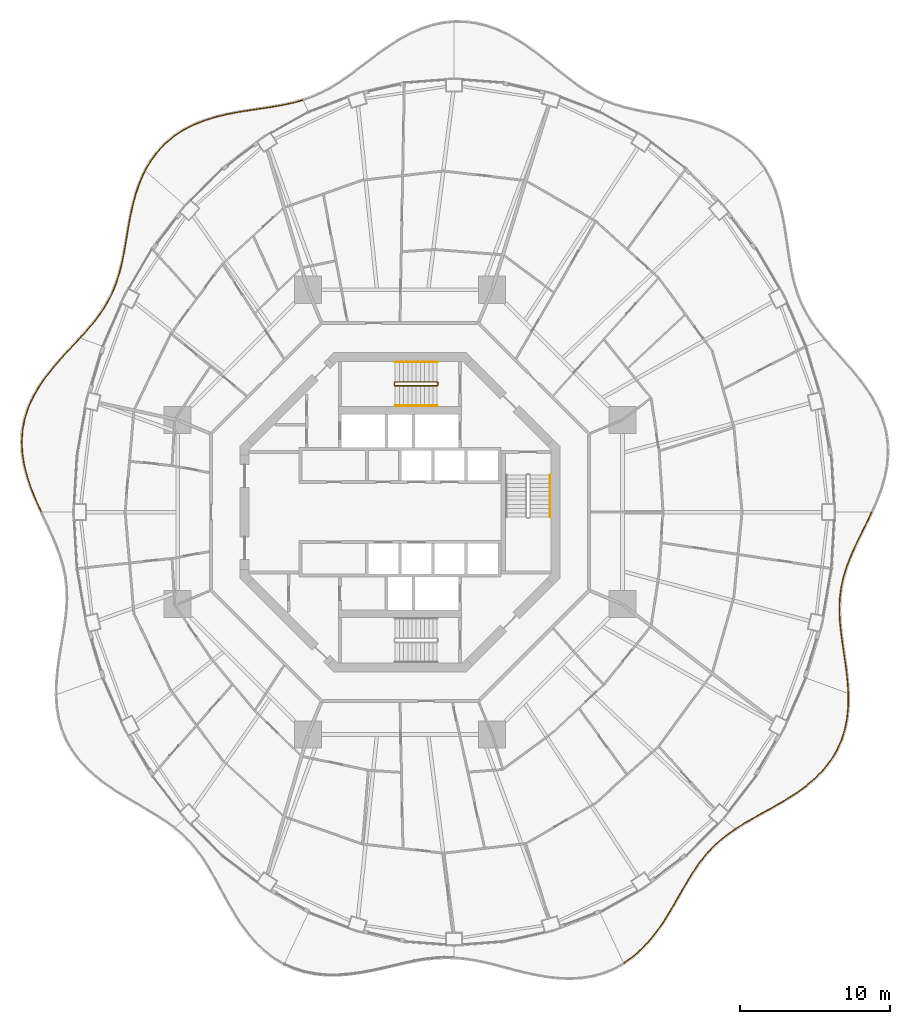
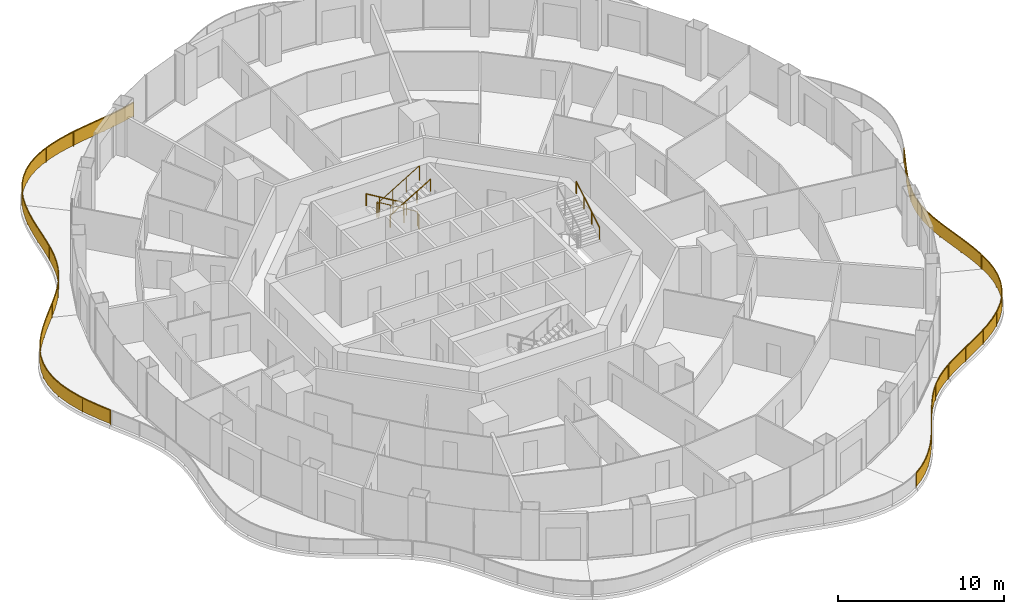
# One storey, part 18 of 19: 10 railings.
"""IFC4 building model written with IfcOpenShell, lengths in metres."""

from ifc_helpers import new_model, si_unit, direction, frame, origin, origin_2d, place, context, subcontext, project, spatial, polyline, rectangle, circle, outline, extrude, material, type_object, element, save


model = new_model("IFC4")

# Units and contexts
model_context = context("Model", 3, precision=1e-05, world=origin(), true_north=direction((0.0, 1.0)))
body_context = subcontext(model_context, "Body", "Model", "MODEL_VIEW")
ifc_project = project(units=[si_unit("LENGTHUNIT", "METRE"), si_unit("AREAUNIT", "SQUARE_METRE"), si_unit("VOLUMEUNIT", "CUBIC_METRE"), si_unit("PLANEANGLEUNIT", "RADIAN"), si_unit("MASSUNIT", "GRAM", prefix="KILO")], contexts=[model_context])

# Site, building, storey
site_placement = place(None, origin())
site = spatial("IfcSite", under=ifc_project, at=site_placement, CompositionType="ELEMENT")
building_placement = place(site_placement, origin())
building = spatial("IfcBuilding", under=site, at=building_placement, Name="Nagisa Residences", CompositionType="ELEMENT")
storey_placement = place(building_placement, frame((0.0, 0.0, 188.10009765625)))
storey = spatial("IfcBuildingStorey", under=building, at=storey_placement, Name="L47", CompositionType="ELEMENT", Elevation=188.10009765625)

# Railings
ifc_material_1 = material(Name="Stainless steel 316", Category="steel")
railing_type_1 = type_object("IfcRailingType", Name="BALCONY GUARD 1100", PredefinedType="BALUSTRADE", material=ifc_material_1)
railing_1_placement = place(storey_placement, frame((-6.482421875, 27.385498046875, 0.0)))
element("IfcRailing", 1, at=railing_1_placement, inside=storey, type_object=railing_type_1, Name="guard:L47:bal05-0", PredefinedType="BALUSTRADE", context=body_context, shape_type="SweptSolid", body=[
    extrude(outline(polyline([(-0.6162109375, -0.19677734375), (0.006591796875, -0.024169921875), (-0.006591796875, 0.024169921875), (-0.62841796875, -0.14794921875), (-1.3173828125, -0.29833984375), (-2.03271484375, -0.424560546875), (-2.771240234375, -0.537841796875), (-3.5283203125, -0.650634765625), (-4.283203125, -0.76708984375), (-5.054443359375, -0.91796875), (-5.818603515625, -1.10595703125), (-6.564697265625, -1.34130859375), (-7.2822265625, -1.63232421875), (-7.948486328125, -1.97412109375), (-8.578369140625, -2.39111328125), (-9.15234375, -2.872802734375), (-9.6640625, -3.41748046875), (-10.111083984375, -4.01953125), (-10.4677734375, -4.63232421875), (-10.42431640625, -4.65771484375), (-10.069091796875, -4.04736328125), (-9.62548828125, -3.44970703125), (-9.11767578125, -2.909423828125), (-8.548583984375, -2.43115234375), (-7.923095703125, -2.017578125), (-7.26123046875, -1.677734375), (-6.547607421875, -1.388671875), (-5.804931640625, -1.154296875), (-5.043701171875, -0.966796875), (-4.2744140625, -0.81640625), (-3.52099609375, -0.699951171875), (-2.763916015625, -0.587158203125), (-2.0244140625, -0.473876953125), (-1.3076171875, -0.34765625), (-0.6162109375, -0.19677734375)])), frame((0.0, 0.0, 1.050048828125)), (0.0, 0.0, 1.0), 0.050048828125),
    extrude(outline(polyline([(-0.62060546875, -0.17919921875), (0.001953125, -0.0068359375), (-0.001953125, 0.0068359375), (-0.6240234375, -0.16552734375), (-1.31396484375, -0.316162109375), (-2.02978515625, -0.4423828125), (-2.7685546875, -0.5556640625), (-3.525634765625, -0.66845703125), (-4.280029296875, -0.784912109375), (-5.050537109375, -0.935546875), (-5.813720703125, -1.123291015625), (-6.55859375, -1.3583984375), (-7.274658203125, -1.648681640625), (-7.939453125, -1.98974609375), (-8.567626953125, -2.405517578125), (-9.139892578125, -2.885986328125), (-9.650146484375, -3.42919921875), (-10.095947265625, -4.029541015625), (-10.4521484375, -4.6416015625), (-10.43994140625, -4.6484375), (-10.084228515625, -4.037353515625), (-9.639404296875, -3.43798828125), (-9.130126953125, -2.896240234375), (-8.559326171875, -2.416748046875), (-7.93212890625, -2.001953125), (-7.268798828125, -1.661376953125), (-6.5537109375, -1.37158203125), (-5.809814453125, -1.136962890625), (-5.047607421875, -0.94921875), (-4.277587890625, -0.798583984375), (-3.523681640625, -0.68212890625), (-2.7666015625, -0.5693359375), (-2.02734375, -0.4560546875), (-1.31103515625, -0.329833984375), (-0.62060546875, -0.17919921875)])), frame((0.0, 0.0, 0.06005859375)), (0.0, 0.0, 1.0), 0.989990234375),
    extrude(rectangle(XDim=0.0400390625, YDim=0.0400390625, at=origin_2d()), origin(), (0.0, 0.0, 1.0), 1.050048828125),
    extrude(rectangle(XDim=0.0400390625, YDim=0.0400390625, at=origin_2d()), frame((-2.330322265625, -0.495361328125, 0.0)), (0.0, 0.0, 1.0), 1.050048828125),
    extrude(rectangle(XDim=0.0400390625, YDim=0.0400390625, at=origin_2d()), frame((-4.684814453125, -0.87109375, 0.0)), (0.0, 0.0, 1.0), 1.050048828125),
    extrude(rectangle(XDim=0.0400390625, YDim=0.0400390625, at=origin_2d()), frame((-6.970947265625, -1.532958984375, 0.0)), (0.0, 0.0, 1.0), 1.050048828125),
    extrude(rectangle(XDim=0.0400390625, YDim=0.0400390625, at=origin_2d()), frame((-8.992919921875, -2.771728515625, 0.0)), (0.0, 0.0, 1.0), 1.050048828125),
    extrude(rectangle(XDim=0.0400390625, YDim=0.0400390625, at=origin_2d()), frame((-10.446044921875, -4.64501953125, 0.0)), (0.0, 0.0, 1.0), 1.050048828125),
])
railing_2_placement = place(storey_placement, frame((-16.96337890625, 22.67138671875, 0.0)))
element("IfcRailing", 2, at=railing_2_placement, inside=storey, type_object=railing_type_1, Name="guard:L47:bal06-0", PredefinedType="BALUSTRADE", context=body_context, shape_type="SweptSolid", body=[
    extrude(outline(polyline([(-0.288330078125, -0.696044921875), (0.022705078125, -0.01025390625), (-0.022705078125, 0.01025390625), (-0.334716796875, -0.677490234375), (-0.60498046875, -1.44287109375), (-0.821533203125, -2.231201171875), (-0.995849609375, -3.03076171875), (-1.141845703125, -3.829345703125), (-1.26611328125, -4.604248046875), (-1.400390625, -5.372314453125), (-1.55078125, -6.1142578125), (-1.730712890625, -6.826171875), (-1.950927734375, -7.50634765625), (-2.21337890625, -8.142822265625), (-2.5361328125, -8.764404296875), (-2.91357421875, -9.363525390625), (-3.34375, -9.946044921875), (-3.81982421875, -10.51904296875), (-4.30419921875, -11.056396484375), (-4.26708984375, -11.090087890625), (-3.78173828125, -10.5517578125), (-3.30419921875, -9.976806640625), (-2.8720703125, -9.391845703125), (-2.49267578125, -8.789306640625), (-2.16796875, -8.163818359375), (-1.904052734375, -7.5234375), (-1.682373046875, -6.83984375), (-1.501953125, -6.12548828125), (-1.35107421875, -5.381591796875), (-1.216796875, -4.612548828125), (-1.092529296875, -3.837646484375), (-0.946533203125, -3.04052734375), (-0.772705078125, -2.243408203125), (-0.55712890625, -1.4580078125), (-0.288330078125, -0.696044921875)])), frame((0.0, 0.0, 1.050048828125)), (0.0, 0.0, 1.0), 0.050048828125),
    extrude(outline(polyline([(-0.304931640625, -0.689453125), (0.00634765625, -0.0029296875), (-0.00634765625, 0.0029296875), (-0.318115234375, -0.68408203125), (-0.587646484375, -1.4482421875), (-0.803955078125, -2.235595703125), (-0.97802734375, -3.0341796875), (-1.1240234375, -3.832275390625), (-1.248291015625, -4.607177734375), (-1.382568359375, -5.375732421875), (-1.533203125, -6.118408203125), (-1.71337890625, -6.8310546875), (-1.93408203125, -7.512451171875), (-2.197021484375, -8.150390625), (-2.5205078125, -8.7734375), (-2.898681640625, -9.373779296875), (-3.32958984375, -9.95703125), (-3.80615234375, -10.53076171875), (-4.290771484375, -11.068603515625), (-4.280517578125, -11.077880859375), (-3.79541015625, -10.5400390625), (-3.318359375, -9.9658203125), (-2.886962890625, -9.381591796875), (-2.50830078125, -8.7802734375), (-2.184326171875, -8.15625), (-1.9208984375, -7.517333984375), (-1.69970703125, -6.8349609375), (-1.51953125, -6.121337890625), (-1.368896484375, -5.378173828125), (-1.234619140625, -4.609619140625), (-1.1103515625, -3.834716796875), (-0.96435546875, -3.037109375), (-0.790283203125, -2.239013671875), (-0.574462890625, -1.45263671875), (-0.304931640625, -0.689453125)])), frame((0.0, 0.0, 0.06005859375)), (0.0, 0.0, 1.0), 0.989990234375),
    extrude(rectangle(XDim=0.0400390625, YDim=0.0400390625, at=origin_2d()), origin(), (0.0, 0.0, 1.0), 1.050048828125),
    extrude(rectangle(XDim=0.0400390625, YDim=0.0400390625, at=origin_2d()), frame((-0.7001953125, -1.88427734375, 0.0)), (0.0, 0.0, 1.0), 1.050048828125),
    extrude(rectangle(XDim=0.0400390625, YDim=0.0400390625, at=origin_2d()), frame((-1.120361328125, -3.852783203125, 0.0)), (0.0, 0.0, 1.0), 1.050048828125),
    extrude(rectangle(XDim=0.0400390625, YDim=0.0400390625, at=origin_2d()), frame((-1.46875, -5.8359375, 0.0)), (0.0, 0.0, 1.0), 1.050048828125),
    extrude(rectangle(XDim=0.0400390625, YDim=0.0400390625, at=origin_2d()), frame((-2.031005859375, -7.76611328125, 0.0)), (0.0, 0.0, 1.0), 1.050048828125),
    extrude(rectangle(XDim=0.0400390625, YDim=0.0400390625, at=origin_2d()), frame((-3.0009765625, -9.524169921875, 0.0)), (0.0, 0.0, 1.0), 1.050048828125),
    extrude(rectangle(XDim=0.0400390625, YDim=0.0400390625, at=origin_2d()), frame((-4.28564453125, -11.0732421875, 0.0)), (0.0, 0.0, 1.0), 1.050048828125),
])
railing_3_placement = place(storey_placement, frame((-21.301025390625, 11.544189453125, 0.0)))
element("IfcRailing", 3, at=railing_3_placement, inside=storey, type_object=railing_type_1, Name="guard:L47:bal07-0", PredefinedType="BALUSTRADE", context=body_context, shape_type="SweptSolid", body=[
    extrude(outline(polyline([(-0.50732421875, -0.578857421875), (0.018310546875, -0.01708984375), (-0.018310546875, 0.01708984375), (-0.5439453125, -0.544677734375), (-1.1064453125, -1.15283203125), (-1.65966796875, -1.78076171875), (-2.18505859375, -2.432373046875), (-2.66357421875, -3.11083984375), (-3.07568359375, -3.803466796875), (-3.413330078125, -4.53662109375), (-3.662109375, -5.293701171875), (-3.815673828125, -6.06982421875), (-3.871337890625, -6.8603515625), (-3.829833984375, -7.644775390625), (-3.701416015625, -8.444580078125), (-3.495361328125, -9.240234375), (-3.2265625, -10.02734375), (-2.91162109375, -10.8017578125), (-2.58642578125, -11.52001953125), (-2.541015625, -11.49951171875), (-2.86572265625, -10.7822265625), (-3.1796875, -10.009765625), (-3.447509765625, -9.22607421875), (-3.652587890625, -8.434326171875), (-3.780029296875, -7.639404296875), (-3.821044921875, -6.86083984375), (-3.765869140625, -6.07666015625), (-3.61376953125, -5.306396484375), (-3.366455078125, -4.55517578125), (-3.03125, -3.826904296875), (-2.62158203125, -3.13818359375), (-2.14501953125, -2.462646484375), (-1.62158203125, -1.81298828125), (-1.0693359375, -1.1865234375), (-0.50732421875, -0.578857421875)])), frame((0.0, 0.0, 1.050048828125)), (0.0, 0.0, 1.0), 0.050048828125),
    extrude(outline(polyline([(-0.5205078125, -0.566650390625), (0.005126953125, -0.0048828125), (-0.005126953125, 0.0048828125), (-0.53076171875, -0.556884765625), (-1.093017578125, -1.1650390625), (-1.64599609375, -1.79248046875), (-2.170654296875, -2.443359375), (-2.6484375, -3.12060546875), (-3.0595703125, -3.81201171875), (-3.396484375, -4.543212890625), (-3.644775390625, -5.29833984375), (-3.797607421875, -6.072265625), (-3.853271484375, -6.860595703125), (-3.81201171875, -7.642822265625), (-3.683837890625, -8.44091796875), (-3.47802734375, -9.235107421875), (-3.209716796875, -10.02099609375), (-2.89501953125, -10.794677734375), (-2.570068359375, -11.5126953125), (-2.557373046875, -11.5068359375), (-2.88232421875, -10.789306640625), (-3.196533203125, -10.01611328125), (-3.46484375, -9.231201171875), (-3.670166015625, -8.43798828125), (-3.7978515625, -7.641357421875), (-3.839111328125, -6.860595703125), (-3.783935546875, -6.07421875), (-3.631103515625, -5.3017578125), (-3.38330078125, -4.548583984375), (-3.04736328125, -3.818359375), (-2.63671875, -3.12841796875), (-2.159423828125, -2.45166015625), (-1.63525390625, -1.80126953125), (-1.082763671875, -1.17431640625), (-0.5205078125, -0.566650390625)])), frame((0.0, 0.0, 0.06005859375)), (0.0, 0.0, 1.0), 0.989990234375),
    extrude(rectangle(XDim=0.0400390625, YDim=0.0400390625, at=origin_2d()), origin(), (0.0, 0.0, 1.0), 1.050048828125),
    extrude(rectangle(XDim=0.0400390625, YDim=0.0400390625, at=origin_2d()), frame((-1.45751953125, -1.58935546875, 0.0)), (0.0, 0.0, 1.0), 1.050048828125),
    extrude(rectangle(XDim=0.0400390625, YDim=0.0400390625, at=origin_2d()), frame((-2.7529296875, -3.309814453125, 0.0)), (0.0, 0.0, 1.0), 1.050048828125),
    extrude(rectangle(XDim=0.0400390625, YDim=0.0400390625, at=origin_2d()), frame((-3.628662109375, -5.27197265625, 0.0)), (0.0, 0.0, 1.0), 1.050048828125),
    extrude(rectangle(XDim=0.0400390625, YDim=0.0400390625, at=origin_2d()), frame((-3.817138671875, -7.409423828125, 0.0)), (0.0, 0.0, 1.0), 1.050048828125),
    extrude(rectangle(XDim=0.0400390625, YDim=0.0400390625, at=origin_2d()), frame((-3.375732421875, -9.513427734375, 0.0)), (0.0, 0.0, 1.0), 1.050048828125),
    extrude(rectangle(XDim=0.0400390625, YDim=0.0400390625, at=origin_2d()), frame((-2.563720703125, -11.509765625, 0.0)), (0.0, 0.0, 1.0), 1.050048828125),
])
railing_4_placement = place(storey_placement, frame((14.90576171875, -29.9716796875, 0.0)))
element("IfcRailing", 4, at=railing_4_placement, inside=storey, type_object=railing_type_1, Name="guard:L47:bal13-0", PredefinedType="BALUSTRADE", context=body_context, shape_type="SweptSolid", body=[
    extrude(outline(polyline([(0.566650390625, 0.435546875), (-0.0146484375, 0.020263671875), (0.0146484375, -0.020263671875), (0.597900390625, 0.396484375), (1.17626953125, 0.908935546875), (1.709228515625, 1.479248046875), (2.19873046875, 2.094970703125), (2.649169921875, 2.742431640625), (3.053466796875, 3.39892578125), (3.447265625, 4.06884765625), (3.82568359375, 4.730224609375), (4.19921875, 5.372314453125), (4.578125, 5.986328125), (4.960205078125, 6.554931640625), (5.378173828125, 7.094970703125), (5.827392578125, 7.595458984375), (6.312744140625, 8.057373046875), (6.83740234375, 8.484619140625), (7.366943359375, 8.8583984375), (7.338134765625, 8.8994140625), (6.80712890625, 8.524658203125), (6.279541015625, 8.094970703125), (5.791259765625, 7.630126953125), (5.339599609375, 7.127197265625), (4.919677734375, 6.584228515625), (4.5361328125, 6.013671875), (4.15625, 5.398193359375), (3.7822265625, 4.755126953125), (3.40380859375, 4.09375), (3.010498046875, 3.4248046875), (2.607177734375, 2.769775390625), (2.15869140625, 2.124755859375), (1.671142578125, 1.511962890625), (1.14111328125, 0.945068359375), (0.566650390625, 0.435546875)])), frame((0.0, 0.0, 1.050048828125)), (0.0, 0.0, 1.0), 0.050048828125),
    extrude(outline(polyline([(0.577880859375, 0.42138671875), (-0.004150390625, 0.005615234375), (0.004150390625, -0.005615234375), (0.586669921875, 0.41064453125), (1.16357421875, 0.921875), (1.695556640625, 1.490966796875), (2.184326171875, 2.105712890625), (2.634033203125, 2.752197265625), (3.0380859375, 3.408203125), (3.431640625, 4.077880859375), (3.81005859375, 4.7392578125), (4.183837890625, 5.381591796875), (4.56298828125, 5.99609375), (4.945556640625, 6.5654296875), (5.3642578125, 7.106689453125), (5.814453125, 7.60791015625), (6.30078125, 8.07080078125), (6.826416015625, 8.4990234375), (7.356689453125, 8.873291015625), (7.348388671875, 8.884521484375), (6.818115234375, 8.51025390625), (6.29150390625, 8.08154296875), (5.80419921875, 7.61767578125), (5.353515625, 7.115478515625), (4.934326171875, 6.57373046875), (4.55126953125, 6.00390625), (4.171630859375, 5.388916015625), (3.7978515625, 4.74609375), (3.41943359375, 4.084716796875), (3.02587890625, 3.41552734375), (2.622314453125, 2.760009765625), (2.173095703125, 2.114013671875), (1.684814453125, 1.500244140625), (1.15380859375, 0.93212890625), (0.577880859375, 0.42138671875)])), frame((0.0, 0.0, 0.06005859375)), (0.0, 0.0, 1.0), 0.989990234375),
    extrude(rectangle(XDim=0.0400390625, YDim=0.0400390625, at=origin_2d()), origin(), (0.0, 0.0, 1.0), 1.050048828125),
    extrude(rectangle(XDim=0.0400390625, YDim=0.0400390625, at=origin_2d()), frame((1.731689453125, 1.5478515625, 0.0)), (0.0, 0.0, 1.0), 1.050048828125),
    extrude(rectangle(XDim=0.0400390625, YDim=0.0400390625, at=origin_2d()), frame((3.060302734375, 3.4599609375, 0.0)), (0.0, 0.0, 1.0), 1.050048828125),
    extrude(rectangle(XDim=0.0400390625, YDim=0.0400390625, at=origin_2d()), frame((4.23291015625, 5.474609375, 0.0)), (0.0, 0.0, 1.0), 1.050048828125),
    extrude(rectangle(XDim=0.0400390625, YDim=0.0400390625, at=origin_2d()), frame((5.587890625, 7.3662109375, 0.0)), (0.0, 0.0, 1.0), 1.050048828125),
    extrude(rectangle(XDim=0.0400390625, YDim=0.0400390625, at=origin_2d()), frame((7.3525390625, 8.87890625, 0.0)), (0.0, 0.0, 1.0), 1.050048828125),
])
railing_5_placement = place(storey_placement, frame((22.3193359375, -21.054443359375, 0.0)))
element("IfcRailing", 5, at=railing_5_placement, inside=storey, type_object=railing_type_1, Name="guard:L47:bal14-0", PredefinedType="BALUSTRADE", context=body_context, shape_type="SweptSolid", body=[
    extrude(outline(polyline([(0.58349609375, 0.39453125), (-0.01318359375, 0.021240234375), (0.01318359375, -0.021240234375), (0.609375, 0.3515625), (1.27490234375, 0.73583984375), (1.965576171875, 1.118408203125), (2.669189453125, 1.5107421875), (3.371826171875, 1.923583984375), (4.05078125, 2.353759765625), (4.706787109375, 2.833984375), (5.316650390625, 3.357177734375), (5.867431640625, 3.927001953125), (6.34716796875, 4.544189453125), (6.7412109375, 5.19384765625), (7.0576171875, 5.89892578125), (7.288330078125, 6.64013671875), (7.43603515625, 7.41064453125), (7.507080078125, 8.202392578125), (7.509033203125, 8.96142578125), (7.459228515625, 8.96142578125), (7.457275390625, 8.204833984375), (7.38623046875, 7.41748046875), (7.239501953125, 6.65234375), (7.0107421875, 5.91650390625), (6.69677734375, 5.21728515625), (6.3056640625, 4.572509765625), (5.829345703125, 3.959716796875), (5.282470703125, 3.393798828125), (4.675537109375, 2.873046875), (4.0224609375, 2.395263671875), (3.345947265625, 1.966552734375), (2.644287109375, 1.55419921875), (1.941162109375, 1.162353515625), (1.25048828125, 0.779296875), (0.58349609375, 0.39453125)])), frame((0.0, 0.0, 1.050048828125)), (0.0, 0.0, 1.0), 0.050048828125),
    extrude(outline(polyline([(0.5927734375, 0.379150390625), (-0.003662109375, 0.005859375), (0.003662109375, -0.005859375), (0.60009765625, 0.366943359375), (1.26611328125, 0.75146484375), (1.956787109375, 1.13427734375), (2.66015625, 1.5263671875), (3.362548828125, 1.939208984375), (4.04052734375, 2.36865234375), (4.695556640625, 2.84814453125), (5.304443359375, 3.370361328125), (5.853759765625, 3.938720703125), (6.332275390625, 4.554443359375), (6.72509765625, 5.202392578125), (7.040771484375, 5.9052734375), (7.270751953125, 6.64453125), (7.41796875, 7.4130859375), (7.4892578125, 8.203369140625), (7.4912109375, 8.96142578125), (7.47705078125, 8.96142578125), (7.47509765625, 8.203857421875), (7.404296875, 7.4150390625), (7.257080078125, 6.64794921875), (7.027587890625, 5.91015625), (6.712890625, 5.208740234375), (6.320556640625, 4.562255859375), (5.843017578125, 3.947998046875), (5.294677734375, 3.380615234375), (4.686767578125, 2.85888671875), (4.03271484375, 2.38037109375), (3.355224609375, 1.950927734375), (2.6533203125, 1.53857421875), (1.949951171875, 1.146484375), (1.25927734375, 0.763671875), (0.5927734375, 0.379150390625)])), frame((0.0, 0.0, 0.06005859375)), (0.0, 0.0, 1.0), 0.989990234375),
    extrude(rectangle(XDim=0.0400390625, YDim=0.0400390625, at=origin_2d()), origin(), (0.0, 0.0, 1.0), 1.050048828125),
    extrude(rectangle(XDim=0.0400390625, YDim=0.0400390625, at=origin_2d()), frame((1.79638671875, 1.053466796875, 0.0)), (0.0, 0.0, 1.0), 1.050048828125),
    extrude(rectangle(XDim=0.0400390625, YDim=0.0400390625, at=origin_2d()), frame((3.598876953125, 2.09716796875, 0.0)), (0.0, 0.0, 1.0), 1.050048828125),
    extrude(rectangle(XDim=0.0400390625, YDim=0.0400390625, at=origin_2d()), frame((5.26318359375, 3.34423828125, 0.0)), (0.0, 0.0, 1.0), 1.050048828125),
    extrude(rectangle(XDim=0.0400390625, YDim=0.0400390625, at=origin_2d()), frame((6.568359375, 4.95703125, 0.0)), (0.0, 0.0, 1.0), 1.050048828125),
    extrude(rectangle(XDim=0.0400390625, YDim=0.0400390625, at=origin_2d()), frame((7.310791015625, 6.89111328125, 0.0)), (0.0, 0.0, 1.0), 1.050048828125),
    extrude(rectangle(XDim=0.0400390625, YDim=0.0400390625, at=origin_2d()), frame((7.484130859375, 8.96142578125, 0.0)), (0.0, 0.0, 1.0), 1.050048828125),
])
railing_6_placement = place(storey_placement, frame((29.800048828125, -12.015869140625, 0.0)))
element("IfcRailing", 6, at=railing_6_placement, inside=storey, type_object=railing_type_1, Name="guard:L47:bal15-0", PredefinedType="BALUSTRADE", context=body_context, shape_type="SweptSolid", body=[
    extrude(outline(polyline([(-0.075927734375, 0.78662109375), (-0.02490234375, -0.001708984375), (0.02490234375, 0.001708984375), (-0.026123046875, 0.791015625), (-0.118896484375, 1.62353515625), (-0.234375, 2.4462890625), (-0.353515625, 3.25341796875), (-0.45849609375, 4.0419921875), (-0.53564453125, 4.79638671875), (-0.56396484375, 5.54443359375), (-0.536865234375, 6.274658203125), (-0.447265625, 6.99072265625), (-0.29248046875, 7.697509765625), (-0.076904296875, 8.386474609375), (0.196533203125, 9.09130859375), (0.514892578125, 9.802734375), (0.864013671875, 10.52490234375), (1.226806640625, 11.260986328125), (1.567138671875, 11.970703125), (1.522216796875, 11.9921875), (1.181884765625, 11.282958984375), (0.819091796875, 10.546875), (0.469482421875, 9.82373046875), (0.150146484375, 9.1103515625), (-0.124267578125, 8.403076171875), (-0.3408203125, 7.710205078125), (-0.49658203125, 6.9990234375), (-0.586669921875, 6.278564453125), (-0.6142578125, 5.54443359375), (-0.58544921875, 4.79296875), (-0.50830078125, 4.0361328125), (-0.4033203125, 3.24658203125), (-0.28369140625, 2.43896484375), (-0.168701171875, 1.6171875), (-0.075927734375, 0.78662109375)])), frame((0.0, 0.0, 1.050048828125)), (0.0, 0.0, 1.0), 0.050048828125),
    extrude(outline(polyline([(-0.05810546875, 0.7880859375), (-0.007080078125, -0.00048828125), (0.007080078125, 0.00048828125), (-0.0439453125, 0.78955078125), (-0.136962890625, 1.621337890625), (-0.252197265625, 2.443603515625), (-0.37158203125, 3.2509765625), (-0.4765625, 4.039794921875), (-0.553466796875, 4.795166015625), (-0.58203125, 5.54443359375), (-0.5546875, 6.276123046875), (-0.465087890625, 6.99365234375), (-0.309814453125, 7.7021484375), (-0.093994140625, 8.392578125), (0.1796875, 9.09814453125), (0.49853515625, 9.810302734375), (0.847900390625, 10.53271484375), (1.210693359375, 11.268798828125), (1.551025390625, 11.978515625), (1.538330078125, 11.984375), (1.197998046875, 11.275146484375), (0.835205078125, 10.5390625), (0.48583984375, 9.816162109375), (0.1669921875, 9.103515625), (-0.107177734375, 8.39697265625), (-0.323486328125, 7.70556640625), (-0.478759765625, 6.99609375), (-0.56884765625, 6.277099609375), (-0.59619140625, 5.54443359375), (-0.567626953125, 4.794189453125), (-0.490234375, 4.038330078125), (-0.38525390625, 3.2490234375), (-0.265869140625, 2.441650390625), (-0.150634765625, 1.619384765625), (-0.05810546875, 0.7880859375)])), frame((0.0, 0.0, 0.06005859375)), (0.0, 0.0, 1.0), 0.989990234375),
    extrude(rectangle(XDim=0.0400390625, YDim=0.0400390625, at=origin_2d()), origin(), (0.0, 0.0, 1.0), 1.050048828125),
    extrude(rectangle(XDim=0.0400390625, YDim=0.0400390625, at=origin_2d()), frame((-0.20556640625, 2.061279296875, 0.0)), (0.0, 0.0, 1.0), 1.050048828125),
    extrude(rectangle(XDim=0.0400390625, YDim=0.0400390625, at=origin_2d()), frame((-0.490966796875, 4.113525390625, 0.0)), (0.0, 0.0, 1.0), 1.050048828125),
    extrude(rectangle(XDim=0.0400390625, YDim=0.0400390625, at=origin_2d()), frame((-0.5654296875, 6.181396484375, 0.0)), (0.0, 0.0, 1.0), 1.050048828125),
    extrude(rectangle(XDim=0.0400390625, YDim=0.0400390625, at=origin_2d()), frame((-0.1591796875, 8.207275390625, 0.0)), (0.0, 0.0, 1.0), 1.050048828125),
    extrude(rectangle(XDim=0.0400390625, YDim=0.0400390625, at=origin_2d()), frame((0.63916015625, 10.117431640625, 0.0)), (0.0, 0.0, 1.0), 1.050048828125),
    extrude(rectangle(XDim=0.0400390625, YDim=0.0400390625, at=origin_2d()), frame((1.544677734375, 11.9814453125, 0.0)), (0.0, 0.0, 1.0), 1.050048828125),
])
ifc_material_2 = material(Name="Stainless steel", Category="steel")
railing_type_2 = type_object("IfcRailingType", Name="Stair guard 1100", PredefinedType="GUARDRAIL", material=ifc_material_2)
railing_7_placement = place(storey_placement, frame((2.52490234375, 8.44970703125, 0.0)))
element("IfcRailing", 7, at=railing_7_placement, inside=storey, type_object=railing_type_2, Name="L47 ST-N stair guard 1", PredefinedType="GUARDRAIL", context=body_context, shape_type="SweptSolid", body=[
    extrude(circle(Radius=0.02392578125, at=origin_2d()), frame((0.0, 0.0, 1.076171875), z_axis=(0.0, 1.0, 0.0), x_axis=(-1.0, 0.0, 0.0)), (0.0, 0.0, 1.0), 0.14990234375),
    extrude(circle(Radius=0.02392578125, at=origin_2d()), frame((0.0, 0.14990234375, 1.076171875), z_axis=(-0.273343290215, 0.274683208305, 0.921863645432), x_axis=(-0.708833529934, -0.705375805398, 0.0)), (0.0, 0.0, 1.0), 0.18212890625),
    extrude(circle(Radius=0.02392578125, at=origin_2d()), frame((-0.0498046875, 0.199951171875, 1.244140625), z_axis=(-0.857242210791, 0.0, 0.514913383045), x_axis=(0.0, -1.0, 0.0)), (0.0, 0.0, 1.0), 3.266357421875),
    extrude(circle(Radius=0.02392578125, at=origin_2d()), frame((-2.849853515625, 0.199951171875, 2.92578125), z_axis=(-0.707106781187, -0.707106781187, 0.0), x_axis=(0.707106781187, -0.707106781187, 0.0)), (0.0, 0.0, 1.0), 0.07080078125),
    extrude(circle(Radius=0.02392578125, at=origin_2d()), frame((-2.89990234375, 0.14990234375, 2.92578125), z_axis=(0.0, -1.0, 0.0), x_axis=(1.0, 0.0, 0.0)), (0.0, 0.0, 1.0), 0.14990234375),
    extrude(circle(Radius=0.02392578125, at=origin_2d()), frame((-2.89990234375, 0.0, 2.92578125), z_axis=(0.274243871929, -0.274243871929, 0.92172696468), x_axis=(0.707106781187, 0.707106781187, 0.0)), (0.0, 0.0, 1.0), 0.1826171875),
    extrude(circle(Radius=0.02392578125, at=origin_2d()), frame((-2.849853515625, -0.050048828125, 3.09423828125), z_axis=(0.857242210791, 0.0, 0.514913383045), x_axis=(0.0, 1.0, 0.0)), (0.0, 0.0, 1.0), 3.266357421875),
    extrude(circle(Radius=0.02099609375, at=origin_2d()), origin(), (0.0, 0.0, 1.0), 1.052001953125),
    extrude(circle(Radius=0.02099609375, at=origin_2d()), frame((0.0, 0.14990234375, 0.0)), (0.0, 0.0, 1.0), 1.052001953125),
    extrude(circle(Radius=0.02099609375, at=origin_2d()), frame((-0.0498046875, 0.199951171875, 0.16796875)), (0.0, 0.0, 1.0), 1.052001953125),
    extrude(circle(Radius=0.02099609375, at=origin_2d()), frame((-0.983154296875, 0.199951171875, 0.728515625)), (0.0, 0.0, 1.0), 1.052001953125),
    extrude(circle(Radius=0.02099609375, at=origin_2d()), frame((-1.91650390625, 0.199951171875, 1.289306640625)), (0.0, 0.0, 1.0), 1.052001953125),
    extrude(circle(Radius=0.02099609375, at=origin_2d()), frame((-2.849853515625, 0.199951171875, 1.849853515625)), (0.0, 0.0, 1.0), 1.052001953125),
    extrude(circle(Radius=0.02099609375, at=origin_2d()), frame((-2.89990234375, 0.14990234375, 1.849853515625)), (0.0, 0.0, 1.0), 1.052001953125),
    extrude(circle(Radius=0.02099609375, at=origin_2d()), frame((-2.89990234375, 0.0, 1.849853515625)), (0.0, 0.0, 1.0), 1.052001953125),
    extrude(circle(Radius=0.02099609375, at=origin_2d()), frame((-2.849853515625, -0.050048828125, 2.01806640625)), (0.0, 0.0, 1.0), 1.052001953125),
    extrude(circle(Radius=0.02099609375, at=origin_2d()), frame((-1.91650390625, -0.050048828125, 2.57861328125)), (0.0, 0.0, 1.0), 1.052001953125),
    extrude(circle(Radius=0.02099609375, at=origin_2d()), frame((-0.983154296875, -0.050048828125, 3.139404296875)), (0.0, 0.0, 1.0), 1.052001953125),
    extrude(circle(Radius=0.02099609375, at=origin_2d()), frame((-0.0498046875, -0.050048828125, 3.699951171875)), (0.0, 0.0, 1.0), 1.052001953125),
])
ifc_material_3 = material(Name="Stainless steel", Category="steel")
railing_type_3 = type_object("IfcRailingType", Name="Stair handrail 900", PredefinedType="HANDRAIL", material=ifc_material_3)
railing_8_placement = place(storey_placement, frame((9.974609375, -0.324951171875, 2.01806640625)))
element("IfcRailing", 8, at=railing_8_placement, inside=storey, type_object=railing_type_3, Name="L47 ST-E stair handrail 2", PredefinedType="HANDRAIL", context=body_context, shape_type="SweptSolid", body=[
    extrude(circle(Radius=0.02392578125, at=origin_2d()), frame((0.0, 0.0, 0.8759765625), z_axis=(0.0, 0.857242210791, 0.514913383045), x_axis=(-1.0, 0.0, 0.0)), (0.0, 0.0, 1.0), 3.266357421875),
    extrude(circle(Radius=0.02099609375, at=origin_2d()), origin(), (0.0, 0.0, 1.0), 0.851806640625),
    extrude(circle(Radius=0.02099609375, at=origin_2d()), frame((0.0, 0.933349609375, 0.560546875)), (0.0, 0.0, 1.0), 0.851806640625),
    extrude(circle(Radius=0.02099609375, at=origin_2d()), frame((0.0, 1.86669921875, 1.121337890625)), (0.0, 0.0, 1.0), 0.851806640625),
    extrude(circle(Radius=0.02099609375, at=origin_2d()), frame((0.0, 2.800048828125, 1.681884765625)), (0.0, 0.0, 1.0), 0.851806640625),
])
railing_9_placement = place(storey_placement, frame((2.47509765625, 9.974609375, 0.16796875)))
element("IfcRailing", 9, at=railing_9_placement, inside=storey, type_object=railing_type_3, Name="L47 ST-N stair handrail 1", PredefinedType="HANDRAIL", context=body_context, shape_type="SweptSolid", body=[
    extrude(circle(Radius=0.02392578125, at=origin_2d()), frame((0.0, 0.0, 0.8759765625), z_axis=(-0.857242210791, 0.0, 0.514913383045), x_axis=(0.0, -1.0, 0.0)), (0.0, 0.0, 1.0), 3.266357421875),
    extrude(circle(Radius=0.02099609375, at=origin_2d()), origin(), (0.0, 0.0, 1.0), 0.851806640625),
    extrude(circle(Radius=0.02099609375, at=origin_2d()), frame((-0.933349609375, 0.0, 0.560546875)), (0.0, 0.0, 1.0), 0.851806640625),
    extrude(circle(Radius=0.02099609375, at=origin_2d()), frame((-1.86669921875, 0.0, 1.121337890625)), (0.0, 0.0, 1.0), 0.851806640625),
    extrude(circle(Radius=0.02099609375, at=origin_2d()), frame((-2.800048828125, 0.0, 1.681884765625)), (0.0, 0.0, 1.0), 0.851806640625),
])
railing_10_placement = place(storey_placement, frame((-0.324951171875, 7.07470703125, 2.01806640625)))
element("IfcRailing", 10, at=railing_10_placement, inside=storey, type_object=railing_type_3, Name="L47 ST-N stair handrail 2", PredefinedType="HANDRAIL", context=body_context, shape_type="SweptSolid", body=[
    extrude(circle(Radius=0.02392578125, at=origin_2d()), frame((0.0, 0.0, 0.8759765625), z_axis=(0.857242210791, 0.0, 0.514913383045), x_axis=(0.0, 1.0, 0.0)), (0.0, 0.0, 1.0), 3.266357421875),
    extrude(circle(Radius=0.02099609375, at=origin_2d()), origin(), (0.0, 0.0, 1.0), 0.851806640625),
    extrude(circle(Radius=0.02099609375, at=origin_2d()), frame((0.933349609375, 0.0, 0.560546875)), (0.0, 0.0, 1.0), 0.851806640625),
    extrude(circle(Radius=0.02099609375, at=origin_2d()), frame((1.86669921875, 0.0, 1.121337890625)), (0.0, 0.0, 1.0), 0.851806640625),
    extrude(circle(Radius=0.02099609375, at=origin_2d()), frame((2.800048828125, 0.0, 1.681884765625)), (0.0, 0.0, 1.0), 0.851806640625),
])

save(model, "model.ifc")
